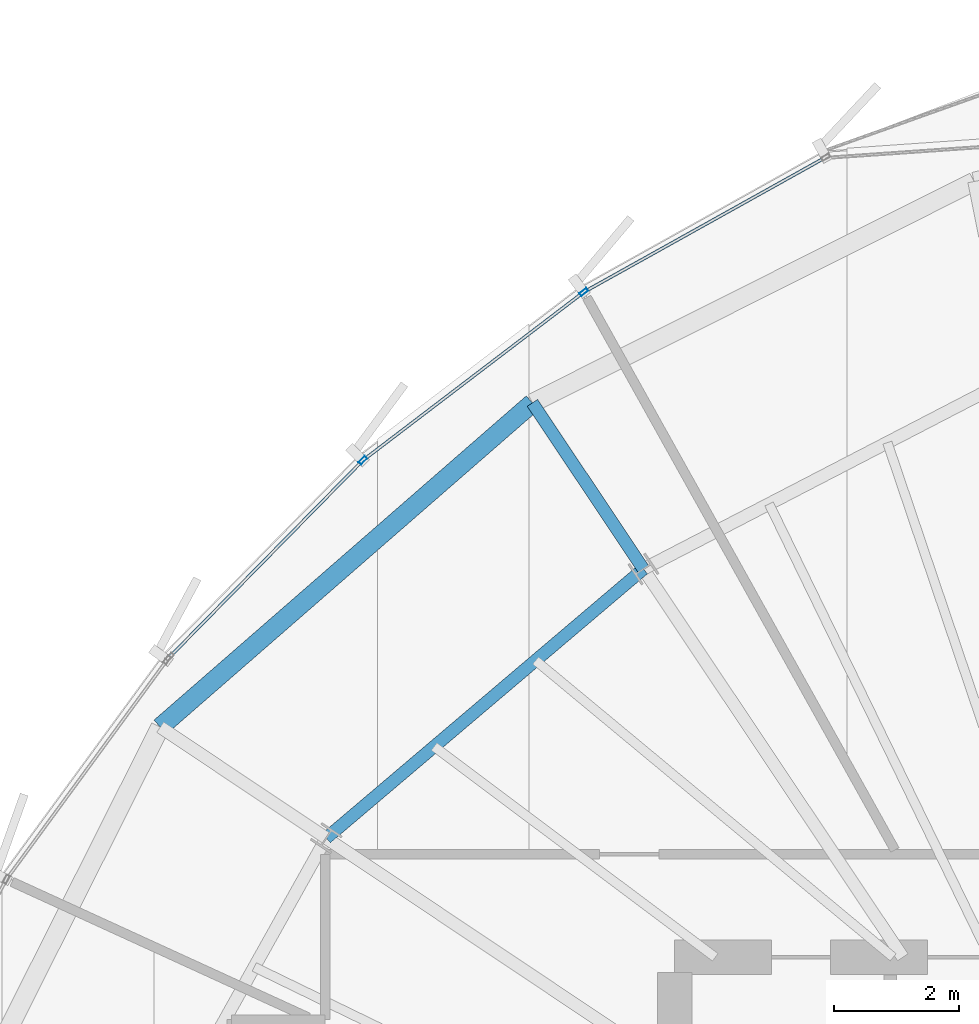
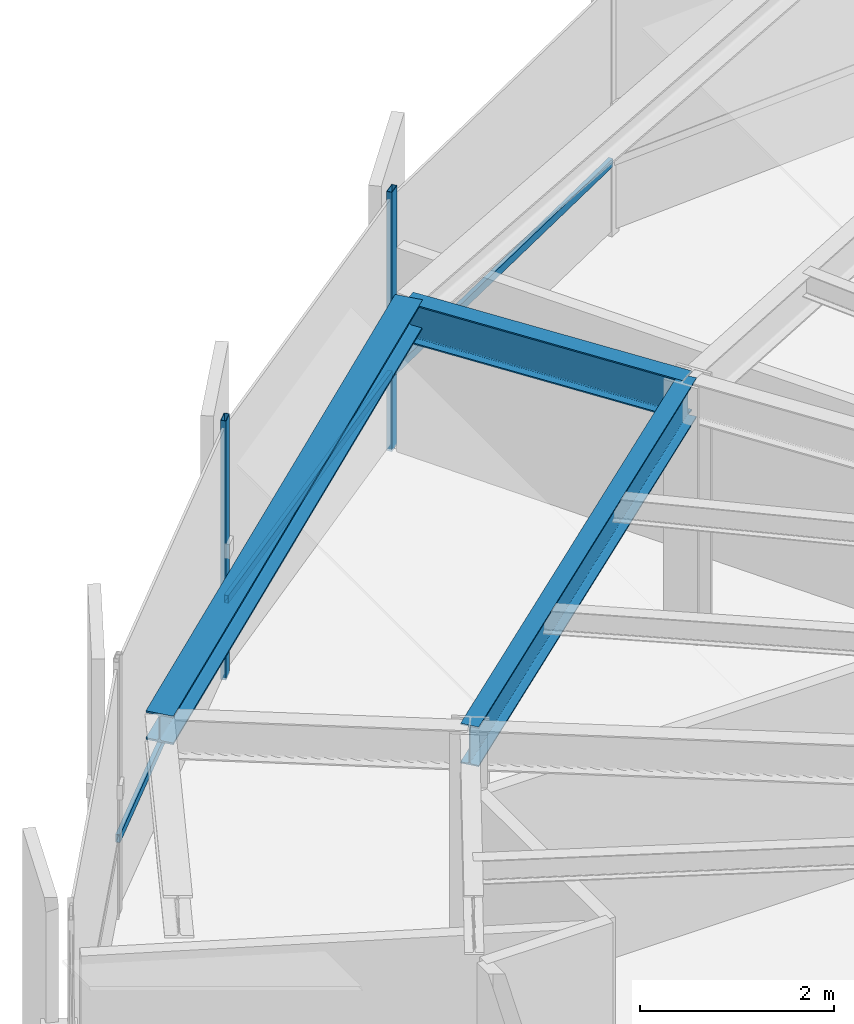
# One storey, part 22 of 37: 5 members, 3 beams, 1 element without a shape of its own.
"""IFC4 building model written with IfcOpenShell, lengths in metres."""

from ifc_helpers import new_model, si_unit, direction, frame, origin, origin_2d, place, context, subcontext, project, spatial, hollow_rectangle, i_section, extrude, source, transform, mapped, material, layer, layer_set, material_profile, profile_set, type_object, element, aggregate, save


model = new_model("IFC4")

# Units and contexts
model_context = context("Model", 3, precision=1e-05, world=origin(), true_north=direction((0.0, 1.0)))
body_context = subcontext(model_context, "Body", "Model", "MODEL_VIEW")
ifc_project = project(units=[si_unit("LENGTHUNIT", "METRE"), si_unit("AREAUNIT", "SQUARE_METRE"), si_unit("VOLUMEUNIT", "CUBIC_METRE"), si_unit("PLANEANGLEUNIT", "RADIAN"), si_unit("MASSUNIT", "GRAM", prefix="KILO"), si_unit("THERMODYNAMICTEMPERATUREUNIT", "KELVIN")], contexts=[model_context])

# Site, building, storey
site_placement = place(None, origin())
site = spatial("IfcSite", under=ifc_project, at=site_placement, CompositionType="ELEMENT")
building_placement = place(site_placement, origin())
building = spatial("IfcBuilding", under=site, at=building_placement, Name="Kethvar Cultural Tower", CompositionType="ELEMENT")
storey_placement = place(building_placement, frame((0.0, 0.0, 200.89990234375)))
storey = spatial("IfcBuildingStorey", under=building, at=storey_placement, Name="L52", CompositionType="ELEMENT", Elevation=200.89990234375)

# Beams
ifc_material_1 = material(Name="Steel S355J2", Category="steel")
ifc_material_profile_1 = material_profile(ifc_material_1, i_section(OverallWidth=0.199951171875, OverallDepth=0.5, WebThickness=0.01025390625, FlangeThickness=0.01611328125, FilletRadius=0.02099609375, at=origin_2d()), Name="Steel S355J2 — IPE500")
ifc_profile_set_1 = profile_set([ifc_material_profile_1], Name="Steel S355J2 — IPE500")
beam_type_1 = type_object("IfcBeamType", Name="BM-IPE500", PredefinedType="BEAM", material=ifc_profile_set_1)
shared_shape_1 = source(origin(), body_context, "Body", "SweptSolid", [
    extrude(i_section(OverallWidth=0.199951171875, OverallDepth=0.5, WebThickness=0.01025390625, FlangeThickness=0.01611328125, FilletRadius=0.02099609375, at=origin_2d()), origin(), (0.0, 0.0, 1.0), 3.199951171875),
])
beam_1_placement = place(storey_placement, frame((37.498779296875, 41.720458984375, 3.008056640625), z_axis=(-0.555580212716, 0.831462943996, 0.0), x_axis=(-0.831462943996, -0.555580212716, 0.0)))
element("IfcBeam", 1, at=beam_1_placement, inside=storey, type_object=beam_type_1, Name="L52 Perimeter Cantilever Beam RC-06", PredefinedType="BEAM", context=body_context, shape_type="MappedRepresentation", body=[
    mapped(shared_shape_1, transform((0.0, 0.0, 0.0), scale=1.0)),
])
shared_shape_2 = source(origin(), body_context, "Body", "SweptSolid", [
    extrude(i_section(OverallWidth=0.199951171875, OverallDepth=0.5, WebThickness=0.01025390625, FlangeThickness=0.01611328125, FilletRadius=0.02099609375, at=origin_2d()), origin(), (0.0, 0.0, 1.0), 6.6630859375),
])
beam_2_placement = place(storey_placement, frame((37.498779296875, 41.720458984375, 3.008056640625), z_axis=(-0.762490511547, -0.646999397064, 0.0), x_axis=(0.646999397064, -0.762490511547, 0.0)))
element("IfcBeam", 2, at=beam_2_placement, inside=storey, type_object=beam_type_1, Name="L52 Column Ring Tie Beam CR-06", PredefinedType="BEAM", context=body_context, shape_type="MappedRepresentation", body=[
    mapped(shared_shape_2, transform((0.0, 0.0, 0.0), scale=1.0)),
])
ifc_material_profile_2 = material_profile(ifc_material_1, i_section(OverallWidth=0.300048828125, OverallDepth=0.360107421875, WebThickness=0.012451171875, FlangeThickness=0.0224609375, FilletRadius=0.027099609375, at=origin_2d()), Name="Steel S355J2 — HEB360")
ifc_profile_set_2 = profile_set([ifc_material_profile_2], Name="Steel S355J2 — HEB360")
beam_type_2 = type_object("IfcBeamType", Name="BM-SP360", PredefinedType="SPANDREL", material=ifc_profile_set_2)
shared_shape_3 = source(origin(), body_context, "Body", "SweptSolid", [
    extrude(i_section(OverallWidth=0.300048828125, OverallDepth=0.360107421875, WebThickness=0.012451171875, FlangeThickness=0.0224609375, FilletRadius=0.027099609375, at=origin_2d()), origin(), (0.0, 0.0, 1.0), 7.908203125),
])
beam_3_placement = place(storey_placement, frame((35.720947265625, 44.381103515625, 3.078125), z_axis=(-0.754085541675, -0.656776214427, 0.0), x_axis=(0.656776214427, -0.754085541675, 0.0)))
element("IfcBeam", 3, at=beam_3_placement, inside=storey, type_object=beam_type_2, Name="L52 Perimeter Spandrel Beam SP-06", PredefinedType="SPANDREL", context=body_context, shape_type="MappedRepresentation", body=[
    mapped(shared_shape_3, transform((0.0, 0.0, 0.0), scale=1.0)),
])

# Curtain wall, members
ifc_material_2 = material(Name="Aluminium 6063-T6", Category="aluminium")
ifc_layer = layer(ifc_material_2, 0.179931640625, Name="Aluminium 6063-T6", Category="aluminium")
ifc_layer_set = layer_set([ifc_layer], Name="Aluminium 6063-T6 (180 mm)")
curtain_wall_type = type_object("IfcCurtainWallType", Name="CW-SYS-04-Z34", PredefinedType="NOTDEFINED", material=ifc_layer_set)
curtain_wall_placement = place(storey_placement, origin())
curtain_wall = element("IfcCurtainWall", 4, at=curtain_wall_placement, inside=storey, type_object=curtain_wall_type, Name="L52 Curtain Wall Run 02", PredefinedType="NOTDEFINED")
ifc_material_profile_3 = material_profile(ifc_material_2, hollow_rectangle(XDim=0.06005859375, YDim=0.139892578125, WallThickness=0.0048828125, at=origin_2d()), Name="Aluminium 6063-T6 — RHS140x60x5")
ifc_profile_set_3 = profile_set([ifc_material_profile_3], Name="Aluminium 6063-T6 — RHS140x60x5")
member_type_1 = type_object("IfcMemberType", Name="CW-SYS-04-Z34-MUL", PredefinedType="MULLION", material=ifc_profile_set_3)
shared_shape_4 = source(origin(), body_context, "Body", "SweptSolid", [
    extrude(hollow_rectangle(XDim=0.06005859375, YDim=0.139892578125, WallThickness=0.0048828125, at=origin_2d()), origin(), (0.0, 0.0, 1.0), 3.260009765625),
])
member_1_placement = place(storey_placement, frame((36.543701171875, 46.157470703125, 0.0), z_axis=(0.0, 0.0, 1.0), x_axis=(0.606085581162, -0.795399439469, 0.0)))
member_1 = element("IfcMember", 5, at=member_1_placement, type_object=member_type_1, Name="CW-L52-R02 Mullion 5", PredefinedType="MULLION", context=body_context, shape_type="MappedRepresentation", body=[
    mapped(shared_shape_4, transform((0.0, 0.0, 0.0), scale=1.0)),
])
member_2_placement = place(storey_placement, frame((33.00341796875, 43.461181640625, 0.0), z_axis=(0.0, 0.0, 1.0), x_axis=(0.713274915068, -0.700884366735, 0.0)))
member_2 = element("IfcMember", 6, at=member_2_placement, type_object=member_type_1, Name="CW-L52-R02 Mullion 6", PredefinedType="MULLION", context=body_context, shape_type="MappedRepresentation", body=[
    mapped(shared_shape_4, transform((0.0, 0.0, 0.0), scale=1.0)),
])
ifc_material_profile_4 = material_profile(ifc_material_2, hollow_rectangle(XDim=0.050048828125, YDim=0.10009765625, WallThickness=0.00390625, at=origin_2d()), Name="Aluminium 6063-T6 — RHS100x50x4")
ifc_profile_set_4 = profile_set([ifc_material_profile_4], Name="Aluminium 6063-T6 — RHS100x50x4")
member_type_2 = type_object("IfcMemberType", Name="CW-SYS-04-Z34-TRN", PredefinedType="USERDEFINED", material=ifc_profile_set_4)
shared_shape_5 = source(origin(), body_context, "Body", "SweptSolid", [
    extrude(hollow_rectangle(XDim=0.050048828125, YDim=0.10009765625, WallThickness=0.00390625, at=origin_2d()), origin(), (0.0, 0.0, 1.0), 4.369384765625),
])
member_3_placement = place(storey_placement, frame((40.384765625, 48.297119140625, 0.9501953125), z_axis=(-0.873492285301, -0.486837988986, 0.0), x_axis=(0.486837988986, -0.873492285301, 0.0)))
member_3 = element("IfcMember", 7, at=member_3_placement, type_object=member_type_2, Name="CW-L52-R02 Transom 4", ObjectType="TRANSOM", PredefinedType="USERDEFINED", context=body_context, shape_type="MappedRepresentation", body=[
    mapped(shared_shape_5, transform((0.0, 0.0, 0.0), scale=1.0)),
])
shared_shape_6 = source(origin(), body_context, "Body", "SweptSolid", [
    extrude(hollow_rectangle(XDim=0.050048828125, YDim=0.10009765625, WallThickness=0.00390625, at=origin_2d()), origin(), (0.0, 0.0, 1.0), 4.37939453125),
])
member_4_placement = place(storey_placement, frame((36.50927734375, 46.131103515625, 0.9501953125), z_axis=(-0.795427880769, -0.606048254264, 0.0), x_axis=(0.606048254264, -0.795427880769, 0.0)))
member_4 = element("IfcMember", 8, at=member_4_placement, type_object=member_type_2, Name="CW-L52-R02 Transom 5", ObjectType="TRANSOM", PredefinedType="USERDEFINED", context=body_context, shape_type="MappedRepresentation", body=[
    mapped(shared_shape_6, transform((0.0, 0.0, 0.0), scale=1.0)),
])
shared_shape_7 = source(origin(), body_context, "Body", "SweptSolid", [
    extrude(hollow_rectangle(XDim=0.050048828125, YDim=0.10009765625, WallThickness=0.00390625, at=origin_2d()), origin(), (0.0, 0.0, 1.0), 4.36962890625),
])
member_5_placement = place(storey_placement, frame((32.97314453125, 43.430419921875, 0.9501953125), z_axis=(-0.700877619913, -0.713281544627, 0.0), x_axis=(0.713281544627, -0.700877619913, 0.0)))
member_5 = element("IfcMember", 9, at=member_5_placement, type_object=member_type_2, Name="CW-L52-R02 Transom 6", ObjectType="TRANSOM", PredefinedType="USERDEFINED", context=body_context, shape_type="MappedRepresentation", body=[
    mapped(shared_shape_7, transform((0.0, 0.0, 0.0), scale=1.0)),
])
aggregate(curtain_wall, [member_1, member_2, member_3, member_4, member_5])

save(model, "model.ifc")
